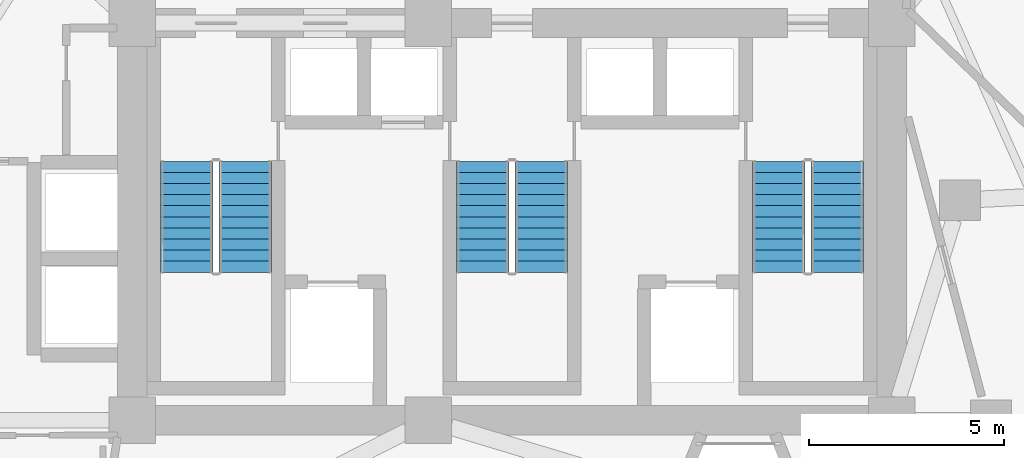
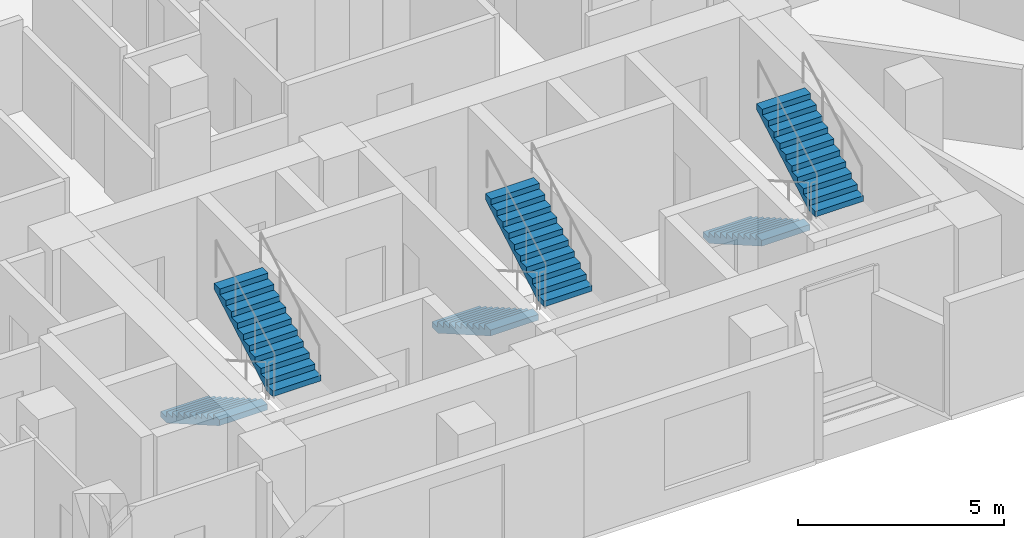
# One storey, part 9 of 11: 6 stair flights, 3 elements without a shape of their own.
"""IFC4 building model written with IfcOpenShell, lengths in metres."""

from ifc_helpers import new_model, si_unit, direction, frame, origin, place, context, subcontext, project, spatial, polyline, outline, extrude, material, type_object, element, aggregate, save


model = new_model("IFC4")

# Units and contexts
model_context = context("Model", 3, precision=1e-05, world=origin(), true_north=direction((0.0, 1.0)))
body_context = subcontext(model_context, "Body", "Model", "MODEL_VIEW")
ifc_project = project(units=[si_unit("LENGTHUNIT", "METRE"), si_unit("AREAUNIT", "SQUARE_METRE"), si_unit("VOLUMEUNIT", "CUBIC_METRE"), si_unit("PLANEANGLEUNIT", "RADIAN"), si_unit("MASSUNIT", "GRAM", prefix="KILO")], contexts=[model_context])

# Site, building, storey
site_placement = place(None, origin())
site = spatial("IfcSite", under=ifc_project, at=site_placement, CompositionType="ELEMENT")
building_placement = place(site_placement, origin())
building = spatial("IfcBuilding", under=site, at=building_placement, Name="Almagre Mirador Tower", CompositionType="ELEMENT")
storey_placement = place(building_placement, frame((0.0, 0.0, 135.60009765625)))
storey = spatial("IfcBuildingStorey", under=building, at=storey_placement, Name="L34", CompositionType="ELEMENT", Elevation=135.60009765625)

# Stair, stair flights
ifc_material_1 = material(Name="Concrete C45/55", Category="concrete")
stair_type = type_object("IfcStairType", Name="STR-DL-3600", PredefinedType="HALF_TURN_STAIR", material=ifc_material_1)
stair_1_placement = place(storey_placement, origin())
stair_1 = element("IfcStair", 1, at=stair_1_placement, inside=storey, type_object=stair_type, Name="L34 Protected exit stair ST-1", PredefinedType="HALF_TURN_STAIR")
ifc_material_2 = material(Name="Concrete C45/55", Category="concrete")
stair_flight_type = type_object("IfcStairFlightType", Name="FLT-DL-3600", PredefinedType="STRAIGHT", material=ifc_material_2)
stair_flight_1_placement = place(storey_placement, frame((28.949951171875, 11.199951171875, 0.0), z_axis=(0.0, 0.0, 1.0), x_axis=(0.0, -1.0, 0.0)))
stair_flight_1 = element("IfcStairFlight", 2, at=stair_flight_1_placement, type_object=stair_flight_type, Name="ST-1 flight 1", NumberOfRisers=11, NumberOfTreads=10, PredefinedType="STRAIGHT", RiserHeight=0.163636364, TreadLength=0.285, context=body_context, shape_type="SweptSolid", body=[
    extrude(outline(polyline([(0.0, 0.0), (0.0, 0.16357421875), (0.284912109375, 0.16357421875), (0.284912109375, 0.327392578125), (0.570068359375, 0.327392578125), (0.570068359375, 0.490966796875), (0.85498046875, 0.490966796875), (0.85498046875, 0.654541015625), (1.139892578125, 0.654541015625), (1.139892578125, 0.818115234375), (1.425048828125, 0.818115234375), (1.425048828125, 0.98193359375), (1.7099609375, 0.98193359375), (1.7099609375, 1.1455078125), (1.9951171875, 1.1455078125), (1.9951171875, 1.30908203125), (2.280029296875, 1.30908203125), (2.280029296875, 1.47265625), (2.56494140625, 1.47265625), (2.56494140625, 1.636474609375), (2.85009765625, 1.636474609375), (2.85009765625, 1.800048828125), (2.85009765625, 1.463623046875), (0.301025390625, 0.0), (0.0, 0.0)])), frame((0.0, 0.675048828125, 0.0), z_axis=(0.0, -1.0, 0.0), x_axis=(1.0, 0.0, 0.0)), (0.0, 0.0, 1.0), 1.35009765625),
])
stair_flight_2_placement = place(storey_placement, frame((30.449951171875, 8.35009765625, 1.7998046875), z_axis=(0.0, 0.0, 1.0), x_axis=(0.0, 1.0, 0.0)))
stair_flight_2 = element("IfcStairFlight", 3, at=stair_flight_2_placement, type_object=stair_flight_type, Name="ST-1 flight 2", NumberOfRisers=11, NumberOfTreads=10, PredefinedType="STRAIGHT", RiserHeight=0.163636364, TreadLength=0.285, context=body_context, shape_type="SweptSolid", body=[
    extrude(outline(polyline([(0.0, 0.0), (0.0, 0.16357421875), (0.284912109375, 0.16357421875), (0.284912109375, 0.327392578125), (0.570068359375, 0.327392578125), (0.570068359375, 0.490966796875), (0.85498046875, 0.490966796875), (0.85498046875, 0.654541015625), (1.139892578125, 0.654541015625), (1.139892578125, 0.818115234375), (1.425048828125, 0.818115234375), (1.425048828125, 0.98193359375), (1.7099609375, 0.98193359375), (1.7099609375, 1.1455078125), (1.9951171875, 1.1455078125), (1.9951171875, 1.30908203125), (2.280029296875, 1.30908203125), (2.280029296875, 1.47265625), (2.56494140625, 1.47265625), (2.56494140625, 1.636474609375), (2.85009765625, 1.636474609375), (2.85009765625, 1.800048828125), (2.85009765625, 1.463623046875), (0.301025390625, 0.0), (0.0, 0.0)])), frame((0.0, 0.675048828125, 0.0), z_axis=(0.0, -1.0, 0.0), x_axis=(1.0, 0.0, 0.0)), (0.0, 0.0, 1.0), 1.35009765625),
])
aggregate(stair_1, [stair_flight_1, stair_flight_2])

stair_2_placement = place(storey_placement, origin())
stair_2 = element("IfcStair", 4, at=stair_2_placement, inside=storey, type_object=stair_type, Name="L34 Protected exit stair ST-2", PredefinedType="HALF_TURN_STAIR")
stair_flight_3_placement = place(storey_placement, frame((36.550048828125, 11.199951171875, 0.0), z_axis=(0.0, 0.0, 1.0), x_axis=(0.0, -1.0, 0.0)))
stair_flight_3 = element("IfcStairFlight", 5, at=stair_flight_3_placement, type_object=stair_flight_type, Name="ST-2 flight 1", NumberOfRisers=11, NumberOfTreads=10, PredefinedType="STRAIGHT", RiserHeight=0.163636364, TreadLength=0.285, context=body_context, shape_type="SweptSolid", body=[
    extrude(outline(polyline([(0.0, 0.0), (0.0, 0.16357421875), (0.284912109375, 0.16357421875), (0.284912109375, 0.327392578125), (0.570068359375, 0.327392578125), (0.570068359375, 0.490966796875), (0.85498046875, 0.490966796875), (0.85498046875, 0.654541015625), (1.139892578125, 0.654541015625), (1.139892578125, 0.818115234375), (1.425048828125, 0.818115234375), (1.425048828125, 0.98193359375), (1.7099609375, 0.98193359375), (1.7099609375, 1.1455078125), (1.9951171875, 1.1455078125), (1.9951171875, 1.30908203125), (2.280029296875, 1.30908203125), (2.280029296875, 1.47265625), (2.56494140625, 1.47265625), (2.56494140625, 1.636474609375), (2.85009765625, 1.636474609375), (2.85009765625, 1.800048828125), (2.85009765625, 1.463623046875), (0.301025390625, 0.0), (0.0, 0.0)])), frame((0.0, 0.675048828125, 0.0), z_axis=(0.0, -1.0, 0.0), x_axis=(1.0, 0.0, 0.0)), (0.0, 0.0, 1.0), 1.35009765625),
])
stair_flight_4_placement = place(storey_placement, frame((38.050048828125, 8.35009765625, 1.7998046875), z_axis=(0.0, 0.0, 1.0), x_axis=(0.0, 1.0, 0.0)))
stair_flight_4 = element("IfcStairFlight", 6, at=stair_flight_4_placement, type_object=stair_flight_type, Name="ST-2 flight 2", NumberOfRisers=11, NumberOfTreads=10, PredefinedType="STRAIGHT", RiserHeight=0.163636364, TreadLength=0.285, context=body_context, shape_type="SweptSolid", body=[
    extrude(outline(polyline([(0.0, 0.0), (0.0, 0.16357421875), (0.284912109375, 0.16357421875), (0.284912109375, 0.327392578125), (0.570068359375, 0.327392578125), (0.570068359375, 0.490966796875), (0.85498046875, 0.490966796875), (0.85498046875, 0.654541015625), (1.139892578125, 0.654541015625), (1.139892578125, 0.818115234375), (1.425048828125, 0.818115234375), (1.425048828125, 0.98193359375), (1.7099609375, 0.98193359375), (1.7099609375, 1.1455078125), (1.9951171875, 1.1455078125), (1.9951171875, 1.30908203125), (2.280029296875, 1.30908203125), (2.280029296875, 1.47265625), (2.56494140625, 1.47265625), (2.56494140625, 1.636474609375), (2.85009765625, 1.636474609375), (2.85009765625, 1.800048828125), (2.85009765625, 1.463623046875), (0.301025390625, 0.0), (0.0, 0.0)])), frame((0.0, 0.675048828125, 0.0), z_axis=(0.0, -1.0, 0.0), x_axis=(1.0, 0.0, 0.0)), (0.0, 0.0, 1.0), 1.35009765625),
])
aggregate(stair_2, [stair_flight_3, stair_flight_4])

stair_3_placement = place(storey_placement, origin())
stair_3 = element("IfcStair", 7, at=stair_3_placement, inside=storey, type_object=stair_type, Name="L34 Protected exit stair ST-3", PredefinedType="HALF_TURN_STAIR")
stair_flight_5_placement = place(storey_placement, frame((44.14990234375, 11.199951171875, 0.0), z_axis=(0.0, 0.0, 1.0), x_axis=(0.0, -1.0, 0.0)))
stair_flight_5 = element("IfcStairFlight", 8, at=stair_flight_5_placement, type_object=stair_flight_type, Name="ST-3 flight 1", NumberOfRisers=11, NumberOfTreads=10, PredefinedType="STRAIGHT", RiserHeight=0.163636364, TreadLength=0.285, context=body_context, shape_type="SweptSolid", body=[
    extrude(outline(polyline([(0.0, 0.0), (0.0, 0.16357421875), (0.284912109375, 0.16357421875), (0.284912109375, 0.327392578125), (0.570068359375, 0.327392578125), (0.570068359375, 0.490966796875), (0.85498046875, 0.490966796875), (0.85498046875, 0.654541015625), (1.139892578125, 0.654541015625), (1.139892578125, 0.818115234375), (1.425048828125, 0.818115234375), (1.425048828125, 0.98193359375), (1.7099609375, 0.98193359375), (1.7099609375, 1.1455078125), (1.9951171875, 1.1455078125), (1.9951171875, 1.30908203125), (2.280029296875, 1.30908203125), (2.280029296875, 1.47265625), (2.56494140625, 1.47265625), (2.56494140625, 1.636474609375), (2.85009765625, 1.636474609375), (2.85009765625, 1.800048828125), (2.85009765625, 1.463623046875), (0.301025390625, 0.0), (0.0, 0.0)])), frame((0.0, 0.675048828125, 0.0), z_axis=(0.0, -1.0, 0.0), x_axis=(1.0, 0.0, 0.0)), (0.0, 0.0, 1.0), 1.35009765625),
])
stair_flight_6_placement = place(storey_placement, frame((45.64990234375, 8.35009765625, 1.7998046875), z_axis=(0.0, 0.0, 1.0), x_axis=(0.0, 1.0, 0.0)))
stair_flight_6 = element("IfcStairFlight", 9, at=stair_flight_6_placement, type_object=stair_flight_type, Name="ST-3 flight 2", NumberOfRisers=11, NumberOfTreads=10, PredefinedType="STRAIGHT", RiserHeight=0.163636364, TreadLength=0.285, context=body_context, shape_type="SweptSolid", body=[
    extrude(outline(polyline([(0.0, 0.0), (0.0, 0.16357421875), (0.284912109375, 0.16357421875), (0.284912109375, 0.327392578125), (0.570068359375, 0.327392578125), (0.570068359375, 0.490966796875), (0.85498046875, 0.490966796875), (0.85498046875, 0.654541015625), (1.139892578125, 0.654541015625), (1.139892578125, 0.818115234375), (1.425048828125, 0.818115234375), (1.425048828125, 0.98193359375), (1.7099609375, 0.98193359375), (1.7099609375, 1.1455078125), (1.9951171875, 1.1455078125), (1.9951171875, 1.30908203125), (2.280029296875, 1.30908203125), (2.280029296875, 1.47265625), (2.56494140625, 1.47265625), (2.56494140625, 1.636474609375), (2.85009765625, 1.636474609375), (2.85009765625, 1.800048828125), (2.85009765625, 1.463623046875), (0.301025390625, 0.0), (0.0, 0.0)])), frame((0.0, 0.675048828125, 0.0), z_axis=(0.0, -1.0, 0.0), x_axis=(1.0, 0.0, 0.0)), (0.0, 0.0, 1.0), 1.35009765625),
])
aggregate(stair_3, [stair_flight_5, stair_flight_6])

save(model, "model.ifc")
